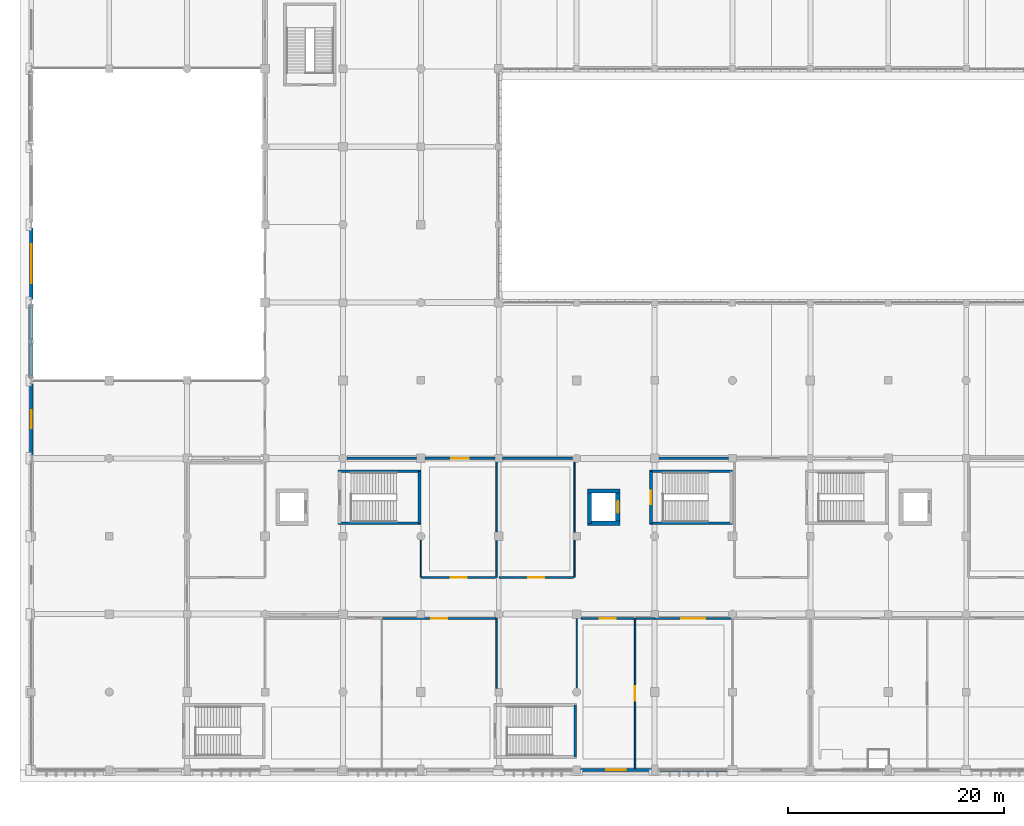
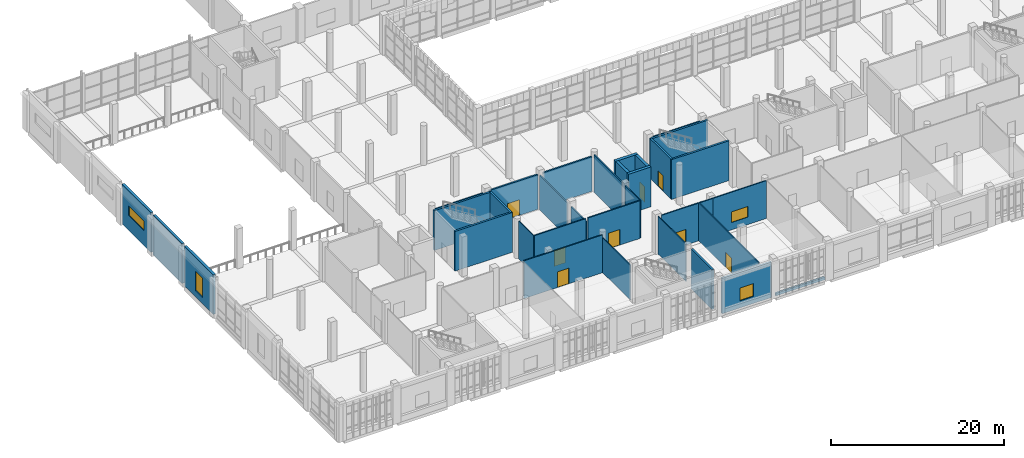
# One storey, part 51 of 80: 34 walls, 8 doors, 4 windows, 12 openings.
"""IFC4 building model written with IfcOpenShell, lengths in metres."""

import ifcopenshell
import ifcopenshell.guid

model = None  # the IFC model being written
_history = None  # IfcOwnerHistory: only IFC2X3 demands one
_inside = {}  # id of a spatial element -> (the spatial element, [elements in it])
_under = {}  # id of a project, library or spatial element -> (it, [spatial elements below it])
_declared = {}  # id of a project -> (the project, [libraries it declares])
_typed = {}  # id of a type object -> (the type object, [elements of that type])
_made_of = {}  # id of a material, layer set ... -> (it, [elements and type objects made of it])


def new_model(schema):
    """Start an empty IFC model of exactly this schema.

    Asked for "IFC4X3", IfcOpenShell would pick the latest addendum, in which some entities
    have other attributes; the version numbers below select the first issue.
    IFC2X3 requires an IfcOwnerHistory on every rooted entity: one is made here for all.
    """
    global model, _history
    if schema == "IFC4X3":
        model = ifcopenshell.file(schema_version=(4, 3, 0, 0))
    else:
        model = ifcopenshell.file(schema=schema)
    _inside.clear()
    _under.clear()
    _declared.clear()
    _typed.clear()
    _made_of.clear()
    _history = None
    if model.schema == "IFC2X3":
        org = make("IfcOrganization", Name="unknown")
        user = make(
            "IfcPersonAndOrganization",
            ThePerson=make("IfcPerson", FamilyName="unknown"),
            TheOrganization=org,
        )
        app = make(
            "IfcApplication",
            ApplicationDeveloper=org,
            Version="unknown",
            ApplicationFullName="unknown",
            ApplicationIdentifier="unknown",
        )
        _history = make(
            "IfcOwnerHistory",
            OwningUser=user,
            OwningApplication=app,
            ChangeAction="ADDED",
            CreationDate=0,
        )
    return model


def make(cls, **values):
    """One entity of the class cls with the attributes given. An attribute that is None is left unset."""
    return model.create_entity(
        cls, **{name: value for name, value in values.items() if value is not None}
    )


def rooted(cls, **values):
    """An entity with a GlobalId (a new one), such as an element, a storey or a relation."""
    return make(cls, GlobalId=ifcopenshell.guid.new(), OwnerHistory=_history, **values)


def si_unit(unit_type, name, prefix=None):
    """IfcSIUnit, for example si_unit("LENGTHUNIT", "METRE", prefix="MILLI")."""
    return make("IfcSIUnit", UnitType=unit_type, Prefix=prefix, Name=name)


def assignment(units):
    """IfcUnitAssignment: the units of a project."""
    return None if units is None else make("IfcUnitAssignment", Units=units)


def point(xyz):
    """IfcCartesianPoint."""
    return None if xyz is None else make("IfcCartesianPoint", Coordinates=xyz)


def direction(xyz):
    """IfcDirection."""
    return None if xyz is None else make("IfcDirection", DirectionRatios=xyz)


def frame(location, z_axis=None, x_axis=None):
    """IfcAxis2Placement3D, a coordinate frame: its origin and axes. An axis left out is left unset."""
    return make(
        "IfcAxis2Placement3D",
        Location=point(location),
        Axis=direction(z_axis),
        RefDirection=direction(x_axis),
    )


def frame_2d(location, x_axis=None):
    """IfcAxis2Placement2D, a coordinate frame in the plane: its origin and x axis."""
    return make(
        "IfcAxis2Placement2D", Location=point(location), RefDirection=direction(x_axis)
    )


def origin():
    """The frame at (0, 0, 0) with its axes left unset."""
    return frame((0.0, 0.0, 0.0))


def place(relative_to, where):
    """IfcLocalPlacement: puts the frame where relative to a parent placement (None: the world)."""
    return make(
        "IfcLocalPlacement", PlacementRelTo=relative_to, RelativePlacement=where
    )


def context(
    kind, dimensions, precision=None, world=None, true_north=None, identifier=None
):
    """IfcGeometricRepresentationContext, for example the 3D "Model" context."""
    return make(
        "IfcGeometricRepresentationContext",
        ContextIdentifier=identifier,
        ContextType=kind,
        CoordinateSpaceDimension=dimensions,
        Precision=precision,
        WorldCoordinateSystem=world,
        TrueNorth=true_north,
    )


def subcontext(parent, identifier, kind, view, scale=None):
    """IfcGeometricRepresentationSubContext, for example "Body" below "Model"."""
    return make(
        "IfcGeometricRepresentationSubContext",
        ContextIdentifier=identifier,
        ContextType=kind,
        ParentContext=parent,
        TargetScale=scale,
        TargetView=view,
    )


def project(units=None, contexts=None):
    """IfcProject with its units and contexts."""
    return rooted(
        "IfcProject",
        Name="project",
        RepresentationContexts=contexts,
        UnitsInContext=assignment(units),
    )


def spatial(cls, under=None, at=None, **own):
    """A site, building, storey or space (cls), placed at a placement, below another one or the project."""
    s = rooted(cls, ObjectPlacement=at, **own)
    if under is not None:
        _under.setdefault(under.id(), (under, []))[1].append(s)
    return s


def profile(cls, at=None, kind="AREA", **sizes):
    """A parametric profile (cls). Its sizes go by their IFC names, for example OverallWidth=200.0."""
    return make(cls, ProfileType=kind, Position=at, **sizes)


def rectangle(**sizes):
    """IfcRectangleProfileDef."""
    return profile("IfcRectangleProfileDef", **sizes)


def extrude(swept, where, along, depth):
    """IfcExtrudedAreaSolid: the profile swept, set in the frame where, extruded along a direction by depth."""
    return make(
        "IfcExtrudedAreaSolid",
        SweptArea=swept,
        Position=where,
        ExtrudedDirection=direction(along),
        Depth=depth,
    )


def shape(context_of_items, identifier, shape_type, items):
    """IfcShapeRepresentation: the items that make up one representation, for example the "Body"."""
    return make(
        "IfcShapeRepresentation",
        ContextOfItems=context_of_items,
        RepresentationIdentifier=identifier,
        RepresentationType=shape_type,
        Items=items,
    )


def material(Name=None, Category=None):
    """IfcMaterial."""
    return make("IfcMaterial", Name=Name, Category=Category)


def layer(
    of_material, thickness, ventilated=None, Name=None, Category=None, Priority=None
):
    """IfcMaterialLayer: one layer of a wall or slab, of a material (None: an air gap)."""
    return make(
        "IfcMaterialLayer",
        Material=of_material,
        LayerThickness=thickness,
        IsVentilated=ventilated,
        Name=Name,
        Category=Category,
        Priority=Priority,
    )


def layer_set(layers, Name=None):
    """IfcMaterialLayerSet."""
    return make("IfcMaterialLayerSet", MaterialLayers=layers, LayerSetName=Name)


def made_of(thing, what):
    """Note that an element or type object is made of a material, layer set ...; save() writes the relation."""
    if what is not None:
        _made_of.setdefault(what.id(), (what, []))[1].append(thing)
    return thing


def type_object(cls, material=None, **own):
    """A type object (cls), such as IfcWallType, which elements share."""
    return made_of(rooted(cls, **own), material)


def element(
    cls,
    number,
    at=None,
    inside=None,
    cuts=None,
    type_object=None,
    material=None,
    context=None,
    identifier="Body",
    shape_type=None,
    held_by="IfcProductDefinitionShape",
    body=None,
    shapes=None,
    **own,
):
    """One element of the class cls, such as IfcWall. Its Tag is "e" and its number.

    at: its placement. inside: the storey or other place that contains it. cuts: it is an
    opening in that element (IfcRelVoidsElement). A single representation is given by context,
    identifier, shape_type and body (its items); several are given by shapes. held_by: the class
    of the entity that holds the representations. save() writes the other relations.
    """
    e = rooted(cls, Tag="e%d" % number, ObjectPlacement=at, **own)
    if body is not None:
        shapes = [shape(context, identifier, shape_type, body)]
    if shapes is not None:
        e.Representation = make(held_by, Representations=shapes)
    if inside is not None:
        _inside.setdefault(inside.id(), (inside, []))[1].append(e)
    if cuts is not None:
        rooted(
            "IfcRelVoidsElement", RelatingBuildingElement=cuts, RelatedOpeningElement=e
        )
    if type_object is not None:
        _typed.setdefault(type_object.id(), (type_object, []))[1].append(e)
    return made_of(e, material)


def fill(opening, filler):
    """IfcRelFillsElement: the door or window that sits in an opening."""
    return rooted(
        "IfcRelFillsElement",
        RelatingOpeningElement=opening,
        RelatedBuildingElement=filler,
    )


def aggregate(whole, parts):
    """IfcRelAggregates: a whole, such as a stair, and the parts it consists of."""
    return rooted("IfcRelAggregates", RelatingObject=whole, RelatedObjects=parts)


def save(model, path):
    """Write the relations noted so far, then the file.

    IfcRelAggregates (storeys below a building ...), IfcRelContainedInSpatialStructure (elements
    in a storey), IfcRelDefinesByType, IfcRelAssociatesMaterial and IfcRelDeclares: one each for
    every whole, place, type object, material and project.
    """
    for whole, parts in _under.values():
        aggregate(whole, parts)
    for where, things in _inside.values():
        rooted(
            "IfcRelContainedInSpatialStructure",
            RelatedElements=things,
            RelatingStructure=where,
        )
    for kind, things in _typed.values():
        rooted("IfcRelDefinesByType", RelatedObjects=things, RelatingType=kind)
    for what, things in _made_of.values():
        rooted("IfcRelAssociatesMaterial", RelatedObjects=things, RelatingMaterial=what)
    for by, libraries in _declared.values():
        rooted("IfcRelDeclares", RelatingContext=by, RelatedDefinitions=libraries)
    model.write(path)


model = new_model("IFC4")

# Units and contexts
model_context = context("Model", 3, precision=1e-05, world=origin(), true_north=direction((0.0, 1.0)))
body_context = subcontext(model_context, "Body", "Model", "MODEL_VIEW")
ifc_project = project(units=[si_unit("LENGTHUNIT", "METRE"), si_unit("AREAUNIT", "SQUARE_METRE"), si_unit("VOLUMEUNIT", "CUBIC_METRE"), si_unit("PLANEANGLEUNIT", "RADIAN"), si_unit("MASSUNIT", "GRAM", prefix="KILO")], contexts=[model_context])

# Site, building, storey
site_placement = place(None, origin())
site = spatial("IfcSite", under=ifc_project, at=site_placement, CompositionType="ELEMENT")
building_placement = place(site_placement, origin())
building = spatial("IfcBuilding", under=site, at=building_placement, Name="Sardonyx Promenade Sports Hall", CompositionType="ELEMENT")
storey_placement = place(building_placement, frame((0.0, 0.0, 5.60009765625)))
storey = spatial("IfcBuildingStorey", under=building, at=storey_placement, Name="L01", CompositionType="ELEMENT", Elevation=5.60009765625)

# Wall, opening, door
ifc_material_1 = material(Name="Concrete C40/50", Category="concrete")
ifc_layer_1 = layer(ifc_material_1, 0.3798828125)
ifc_layer_set_1 = layer_set([ifc_layer_1], Name="Wall_Core_Shear_380")
wall_type_1 = type_object("IfcWallType", Name="Wall_Core_Shear_380", PredefinedType="SHEAR", material=ifc_layer_set_1)
wall_1_placement = place(storey_placement, frame((54.199951171875, 22.800048828125, 0.0), z_axis=(0.0, 0.0, 1.0), x_axis=(0.0, 1.0, 0.0)))
wall_1 = element("IfcWall", 1, at=wall_1_placement, inside=storey, type_object=wall_type_1, Name="Lift shaft wall LF3 L01 E", PredefinedType="SHEAR", context=body_context, shape_type="SweptSolid", body=[
    extrude(rectangle(XDim=3.0, YDim=0.3798828125, at=frame_2d((1.5, 0.0))), origin(), (0.0, 0.0, 1.0), 5.599853515625),
])
opening_1_placement = place(wall_1_placement, frame((0.949951171875, 0.0, 0.0)))
opening_1 = element("IfcOpeningElement", 2, at=opening_1_placement, cuts=wall_1, Name="Opening LD01", PredefinedType="OPENING", context=body_context, shape_type="SweptSolid", body=[
    extrude(rectangle(XDim=1.10009765625, YDim=2.199951171875, at=frame_2d((0.550048828125, 1.10009765625))), frame((0.0, 0.2, 0.0), z_axis=(0.0, -1.0, 0.0), x_axis=(1.0, 0.0, 0.0)), (0.0, 0.0, 1.0), 0.4),
])
ifc_material_2 = material(Name="Fire-rated stainless steel sliding lift door", Category="steel")
door_type_1 = type_object("IfcDoorType", Name="Door_Lift_Pass_110x220", OperationType="NOTDEFINED", PredefinedType="DOOR", material=ifc_material_2)
door_1_placement = place(opening_1_placement, origin())
door_1 = element("IfcDoor", 3, at=door_1_placement, inside=storey, type_object=door_type_1, Name="Lift landing sliding door LD-LF3-L01", OperationType="SLIDING_TO_LEFT", OverallHeight=2.199951171875, OverallWidth=1.10009765625, PredefinedType="DOOR", context=body_context, shape_type="SweptSolid", body=[
    extrude(rectangle(XDim=1.10009765625, YDim=2.199951171875, at=frame_2d((0.550048828125, 1.10009765625))), frame((0.0, 0.02490234375, 0.0), z_axis=(0.0, -1.0, 0.0), x_axis=(1.0, 0.0, 0.0)), (0.0, 0.0, 1.0), 0.050048828125),
])
fill(opening_1, door_1)

# Walls
wall_2_placement = place(storey_placement, frame((51.409912109375, 25.800048828125, 0.0), z_axis=(0.0, 0.0, 1.0), x_axis=(1.0, 0.0, 0.0)))
element("IfcWall", 4, at=wall_2_placement, inside=storey, type_object=wall_type_1, Name="Lift shaft wall LF3 L01 N", PredefinedType="SHEAR", context=body_context, shape_type="SweptSolid", body=[
    extrude(rectangle(XDim=2.97998046875, YDim=0.3798828125, at=frame_2d((1.489990234375, 0.0))), origin(), (0.0, 0.0, 1.0), 5.599853515625),
])
wall_3_placement = place(storey_placement, frame((51.60009765625, 25.800048828125, 0.0), z_axis=(0.0, 0.0, 1.0), x_axis=(0.0, -1.0, 0.0)))
element("IfcWall", 5, at=wall_3_placement, inside=storey, type_object=wall_type_1, Name="Lift shaft wall LF3 L01 W", PredefinedType="SHEAR", context=body_context, shape_type="SweptSolid", body=[
    extrude(rectangle(XDim=3.0, YDim=0.3798828125, at=frame_2d((1.5, 0.0))), origin(), (0.0, 0.0, 1.0), 5.599853515625),
])
wall_4_placement = place(storey_placement, frame((54.389892578125, 22.800048828125, 0.0), z_axis=(0.0, 0.0, 1.0), x_axis=(-1.0, 0.0, 0.0)))
element("IfcWall", 6, at=wall_4_placement, inside=storey, type_object=wall_type_1, Name="Lift shaft wall LF3 L01 S", PredefinedType="SHEAR", context=body_context, shape_type="SweptSolid", body=[
    extrude(rectangle(XDim=2.97998046875, YDim=0.3798828125, at=frame_2d((1.489990234375, 0.0))), origin(), (0.0, 0.0, 1.0), 5.599853515625),
])

# Wall, opening, window
ifc_material_3 = material(Name="Concrete C40/50", Category="concrete")
ifc_layer_2 = layer(ifc_material_3, 0.320068359375)
ifc_layer_set_2 = layer_set([ifc_layer_2], Name="Wall_Ext_Court_320")
wall_type_2 = type_object("IfcWallType", Name="Wall_Ext_Court_320", PredefinedType="SOLIDWALL", material=ifc_layer_set_2)
wall_5_placement = place(storey_placement, frame((0.0, 29.080078125, 0.0), z_axis=(0.0, 0.0, 1.0), x_axis=(0.0, 1.0, 0.0)))
wall_5 = element("IfcWall", 7, at=wall_5_placement, inside=storey, type_object=wall_type_2, Name="Exterior wall EW01 L01 #142", PredefinedType="SOLIDWALL", context=body_context, shape_type="SweptSolid", body=[
    extrude(rectangle(XDim=6.639892578125, YDim=0.320068359375, at=frame_2d((3.31982421875, 0.0))), origin(), (0.0, 0.0, 1.0), 5.599853515625),
])
opening_2_placement = place(wall_5_placement, frame((2.4951171875, 0.0, 0.89990234375)))
opening_2 = element("IfcOpeningElement", 8, at=opening_2_placement, cuts=wall_5, Name="Opening W10", PredefinedType="OPENING", context=body_context, shape_type="SweptSolid", body=[
    extrude(rectangle(XDim=1.64990234375, YDim=2.699951171875, at=frame_2d((0.824951171875, 1.35009765625))), frame((0.0, 0.17, 0.0), z_axis=(0.0, -1.0, 0.0), x_axis=(1.0, 0.0, 0.0)), (0.0, 0.0, 1.0), 0.34),
])
ifc_material_4 = material(Name="Double-glazed solar low-E aluminium window", Category="aluminium")
window_type_1 = type_object("IfcWindowType", Name="Win_Sandstone_TallB", PartitioningType="SINGLE_PANEL", PredefinedType="WINDOW", material=ifc_material_4)
window_1_placement = place(opening_2_placement, origin())
window_1 = element("IfcWindow", 9, at=window_1_placement, inside=storey, type_object=window_type_1, Name="Facade window W10 L01 #60", OverallHeight=2.699951171875, OverallWidth=1.64990234375, PartitioningType="SINGLE_PANEL", PredefinedType="WINDOW", context=body_context, shape_type="SweptSolid", body=[
    extrude(rectangle(XDim=1.64990234375, YDim=2.699951171875, at=frame_2d((0.824951171875, 1.35009765625))), frame((0.0, 0.030029296875, 0.0), z_axis=(0.0, -1.0, 0.0), x_axis=(1.0, 0.0, 0.0)), (0.0, 0.0, 1.0), 0.06005859375),
])
fill(opening_2, window_1)

# Wall
wall_6_placement = place(storey_placement, frame((0.0, 36.280029296875, 0.0), z_axis=(0.0, 0.0, 1.0), x_axis=(0.0, 1.0, 0.0)))
element("IfcWall", 10, at=wall_6_placement, inside=storey, type_object=wall_type_2, Name="Exterior wall EW01 L01 #143", PredefinedType="SOLIDWALL", context=body_context, shape_type="SweptSolid", body=[
    extrude(rectangle(XDim=6.639892578125, YDim=0.320068359375, at=frame_2d((3.31982421875, 0.0))), origin(), (0.0, 0.0, 1.0), 5.599853515625),
])

# Wall, opening, window
wall_7_placement = place(storey_placement, frame((0.0, 43.47998046875, 0.0), z_axis=(0.0, 0.0, 1.0), x_axis=(0.0, 1.0, 0.0)))
wall_7 = element("IfcWall", 11, at=wall_7_placement, inside=storey, type_object=wall_type_2, Name="Exterior wall EW01 L01 #144", PredefinedType="SOLIDWALL", context=body_context, shape_type="SweptSolid", body=[
    extrude(rectangle(XDim=6.64013671875, YDim=0.320068359375, at=frame_2d((3.320068359375, 0.0))), origin(), (0.0, 0.0, 1.0), 5.599853515625),
])
opening_3_placement = place(wall_7_placement, frame((1.52001953125, 0.0, 2.10009765625)))
opening_3 = element("IfcOpeningElement", 12, at=opening_3_placement, cuts=wall_7, Name="Opening W17", PredefinedType="OPENING", context=body_context, shape_type="SweptSolid", body=[
    extrude(rectangle(XDim=3.60009765625, YDim=1.35009765625, at=frame_2d((1.800048828125, 0.675048828125))), frame((0.0, 0.17, 0.0), z_axis=(0.0, -1.0, 0.0), x_axis=(1.0, 0.0, 0.0)), (0.0, 0.0, 1.0), 0.34),
])
ifc_material_5 = material(Name="Double-glazed solar low-E aluminium window", Category="aluminium")
window_type_2 = type_object("IfcWindowType", Name="Win_Clerestory_360x135", PartitioningType="DOUBLE_PANEL_VERTICAL", PredefinedType="WINDOW", material=ifc_material_5)
window_2_placement = place(opening_3_placement, origin())
window_2 = element("IfcWindow", 13, at=window_2_placement, inside=storey, type_object=window_type_2, Name="Facade window W17 L01 #61", OverallHeight=1.35009765625, OverallWidth=3.60009765625, PartitioningType="SINGLE_PANEL", PredefinedType="WINDOW", context=body_context, shape_type="SweptSolid", body=[
    extrude(rectangle(XDim=3.60009765625, YDim=1.35009765625, at=frame_2d((1.800048828125, 0.675048828125))), frame((0.0, 0.030029296875, 0.0), z_axis=(0.0, -1.0, 0.0), x_axis=(1.0, 0.0, 0.0)), (0.0, 0.0, 1.0), 0.06005859375),
])
fill(opening_3, window_2)

# Wall
ifc_material_6 = material(Name="Masonry CMU 15 MPa", Category="masonry")
ifc_layer_3 = layer(ifc_material_6, 0.239990234375)
ifc_layer_set_3 = layer_set([ifc_layer_3], Name="Wall_Ext_Spandrel_240")
wall_type_3 = type_object("IfcWallType", Name="Wall_Ext_Spandrel_240", PredefinedType="SOLIDWALL", material=ifc_layer_set_3)
wall_8_placement = place(storey_placement, frame((64.4150390625, 0.0, 0.0), z_axis=(0.0, 0.0, 1.0), x_axis=(-1.0, 0.0, 0.0)))
element("IfcWall", 14, at=wall_8_placement, inside=storey, type_object=wall_type_3, Name="Curtain-wall sill spandrel L01 #45", PredefinedType="SOLIDWALL", context=body_context, shape_type="SweptSolid", body=[
    extrude(rectangle(XDim=6.530029296875, YDim=0.239990234375, at=frame_2d((3.26513671875, 0.0))), origin(), (0.0, 0.0, 1.0), 0.349853515625),
])

# Wall, opening, window
ifc_material_7 = material(Name="Concrete C40/50", Category="concrete")
ifc_layer_4 = layer(ifc_material_7, 0.280029296875)
ifc_layer_set_4 = layer_set([ifc_layer_4], Name="Wall_Ext_Wing_280")
wall_type_4 = type_object("IfcWallType", Name="Wall_Ext_Wing_280", PredefinedType="SOLIDWALL", material=ifc_layer_set_4)
wall_9_placement = place(storey_placement, frame((57.31494140625, 0.0, 0.0), z_axis=(0.0, 0.0, 1.0), x_axis=(-1.0, 0.0, 0.0)))
wall_9 = element("IfcWall", 15, at=wall_9_placement, inside=storey, type_object=wall_type_4, Name="Exterior wall EW02 L01 #46", PredefinedType="SOLIDWALL", context=body_context, shape_type="SweptSolid", body=[
    extrude(rectangle(XDim=6.579833984375, YDim=0.280029296875, at=frame_2d((3.2900390625, 0.0))), origin(), (0.0, 0.0, 1.0), 4.98486328125),
])
opening_4_placement = place(wall_9_placement, frame((2.389892578125, 0.0, 1.0)))
opening_4 = element("IfcOpeningElement", 16, at=opening_4_placement, cuts=wall_9, Name="Opening W20", PredefinedType="OPENING", context=body_context, shape_type="SweptSolid", body=[
    extrude(rectangle(XDim=1.800048828125, YDim=1.800048828125, at=frame_2d((0.89990234375, 0.89990234375))), frame((0.0, 0.15, 0.0), z_axis=(0.0, -1.0, 0.0), x_axis=(1.0, 0.0, 0.0)), (0.0, 0.0, 1.0), 0.3),
])
ifc_material_8 = material(Name="Double-glazed solar low-E aluminium window", Category="aluminium")
window_type_3 = type_object("IfcWindowType", Name="Win_Clinic_180x180", PartitioningType="DOUBLE_PANEL_VERTICAL", PredefinedType="WINDOW", material=ifc_material_8)
window_3_placement = place(opening_4_placement, origin())
window_3 = element("IfcWindow", 17, at=window_3_placement, inside=storey, type_object=window_type_3, Name="Facade window W20 L01 #16", OverallHeight=1.800048828125, OverallWidth=1.800048828125, PartitioningType="SINGLE_PANEL", PredefinedType="WINDOW", context=body_context, shape_type="SweptSolid", body=[
    extrude(rectangle(XDim=1.800048828125, YDim=1.800048828125, at=frame_2d((0.89990234375, 0.89990234375))), frame((0.0, 0.030029296875, 0.0), z_axis=(0.0, -1.0, 0.0), x_axis=(1.0, 0.0, 0.0)), (0.0, 0.0, 1.0), 0.06005859375),
])
fill(opening_4, window_3)

# Wall, opening, door
ifc_material_9 = material(Name="Twin-stud acoustic gypsum partition", Category="gypsum")
ifc_layer_5 = layer(ifc_material_9, 0.169921875)
ifc_layer_set_5 = layer_set([ifc_layer_5], Name="Wall_Part_Acoust_170")
wall_type_5 = type_object("IfcWallType", Name="Wall_Part_Acoust_170", PredefinedType="PARTITIONING", material=ifc_layer_set_5)
wall_10_placement = place(storey_placement, frame((36.06005859375, 17.800048828125, 0.0), z_axis=(0.0, 0.0, 1.0), x_axis=(1.0, 0.0, 0.0)))
wall_10 = element("IfcWall", 18, at=wall_10_placement, inside=storey, type_object=wall_type_5, Name="Interior partition PW06 L01 #228", PredefinedType="PARTITIONING", context=body_context, shape_type="SweptSolid", body=[
    extrude(rectangle(XDim=6.85986328125, YDim=0.169921875, at=frame_2d((3.429931640625, 0.0))), origin(), (0.0, 0.0, 1.0), 5.309814453125),
])
opening_5_placement = place(wall_10_placement, frame((2.679931640625, 0.0, 0.0)))
opening_5 = element("IfcOpeningElement", 19, at=opening_5_placement, cuts=wall_10, Name="Opening ID10", PredefinedType="OPENING", context=body_context, shape_type="SweptSolid", body=[
    extrude(rectangle(XDim=1.5, YDim=2.199951171875, at=frame_2d((0.75, 1.10009765625))), frame((0.0, 0.095, 0.0), z_axis=(0.0, -1.0, 0.0), x_axis=(1.0, 0.0, 0.0)), (0.0, 0.0, 1.0), 0.19),
])
ifc_material_10 = material(Name="Double studio entrance fire door FD30S", Category="wood")
door_type_2 = type_object("IfcDoorType", Name="Door_Corr_FD30_150x220", OperationType="NOTDEFINED", PredefinedType="DOOR", material=ifc_material_10)
door_2_placement = place(opening_5_placement, origin())
door_2 = element("IfcDoor", 20, at=door_2_placement, inside=storey, type_object=door_type_2, Name="Interior door D01-069", OperationType="DOUBLE_DOOR_SINGLE_SWING", OverallHeight=2.199951171875, OverallWidth=1.5, PredefinedType="DOOR", context=body_context, shape_type="SweptSolid", body=[
    extrude(rectangle(XDim=1.5, YDim=2.199951171875, at=frame_2d((0.75, 1.10009765625))), frame((0.0, 0.02490234375, 0.0), z_axis=(0.0, -1.0, 0.0), x_axis=(1.0, 0.0, 0.0)), (0.0, 0.0, 1.0), 0.050048828125),
])
fill(opening_5, door_2)

wall_11_placement = place(storey_placement, frame((43.199951171875, 17.800048828125, 0.0), z_axis=(0.0, 0.0, 1.0), x_axis=(1.0, 0.0, 0.0)))
wall_11 = element("IfcWall", 21, at=wall_11_placement, inside=storey, type_object=wall_type_5, Name="Interior partition PW06 L01 #229", PredefinedType="PARTITIONING", context=body_context, shape_type="SweptSolid", body=[
    extrude(rectangle(XDim=6.925048828125, YDim=0.169921875, at=frame_2d((3.46240234375, 0.0))), origin(), (0.0, 0.0, 1.0), 5.309814453125),
])
opening_6_placement = place(wall_11_placement, frame((2.71240234375, 0.0, 0.0)))
opening_6 = element("IfcOpeningElement", 22, at=opening_6_placement, cuts=wall_11, Name="Opening ID10", PredefinedType="OPENING", context=body_context, shape_type="SweptSolid", body=[
    extrude(rectangle(XDim=1.5, YDim=2.199951171875, at=frame_2d((0.75, 1.10009765625))), frame((0.0, 0.095, 0.0), z_axis=(0.0, -1.0, 0.0), x_axis=(1.0, 0.0, 0.0)), (0.0, 0.0, 1.0), 0.19),
])
door_3_placement = place(opening_6_placement, origin())
door_3 = element("IfcDoor", 23, at=door_3_placement, inside=storey, type_object=door_type_2, Name="Interior door D01-070", OperationType="DOUBLE_DOOR_SINGLE_SWING", OverallHeight=2.199951171875, OverallWidth=1.5, PredefinedType="DOOR", context=body_context, shape_type="SweptSolid", body=[
    extrude(rectangle(XDim=1.5, YDim=2.199951171875, at=frame_2d((0.75, 1.10009765625))), frame((0.0, 0.02490234375, 0.0), z_axis=(0.0, -1.0, 0.0), x_axis=(1.0, 0.0, 0.0)), (0.0, 0.0, 1.0), 0.050048828125),
])
fill(opening_6, door_3)

# Wall
ifc_material_11 = material(Name="Masonry CMU 15 MPa", Category="masonry")
ifc_layer_6 = layer(ifc_material_11, 0.2099609375)
ifc_layer_set_6 = layer_set([ifc_layer_6], Name="Wall_Part_Block_210")
wall_type_6 = type_object("IfcWallType", Name="Wall_Part_Block_210", PredefinedType="PARTITIONING", material=ifc_layer_set_6)
wall_12_placement = place(storey_placement, frame((29.175048828125, 28.800048828125, 0.0), z_axis=(0.0, 0.0, 1.0), x_axis=(1.0, 0.0, 0.0)))
element("IfcWall", 24, at=wall_12_placement, inside=storey, type_object=wall_type_6, Name="Interior partition PW07 L01 #197", PredefinedType="PARTITIONING", context=body_context, shape_type="SweptSolid", body=[
    extrude(rectangle(XDim=6.425048828125, YDim=0.2099609375, at=frame_2d((3.21240234375, 0.0))), origin(), (0.0, 0.0, 1.0), 4.77978515625),
])

# Wall, opening, door
wall_13_placement = place(storey_placement, frame((36.39990234375, 28.800048828125, 0.0), z_axis=(0.0, 0.0, 1.0), x_axis=(1.0, 0.0, 0.0)))
wall_13 = element("IfcWall", 25, at=wall_13_placement, inside=storey, type_object=wall_type_6, Name="Interior partition PW07 L01 #198", PredefinedType="PARTITIONING", context=body_context, shape_type="SweptSolid", body=[
    extrude(rectangle(XDim=6.4501953125, YDim=0.2099609375, at=frame_2d((3.22509765625, 0.0))), origin(), (0.0, 0.0, 1.0), 4.8798828125),
])
opening_7_placement = place(wall_13_placement, frame((2.425048828125, 0.0, 0.0)))
opening_7 = element("IfcOpeningElement", 26, at=opening_7_placement, cuts=wall_13, Name="Opening ID09", PredefinedType="OPENING", context=body_context, shape_type="SweptSolid", body=[
    extrude(rectangle(XDim=1.60009765625, YDim=2.199951171875, at=frame_2d((0.800048828125, 1.10009765625))), frame((0.0, 0.115, 0.0), z_axis=(0.0, -1.0, 0.0), x_axis=(1.0, 0.0, 0.0)), (0.0, 0.0, 1.0), 0.23),
])
ifc_material_12 = material(Name="Double hardwood vision-panel fire door FD60S", Category="wood")
door_type_3 = type_object("IfcDoorType", Name="Door_Lobby_FD60_160x220", OperationType="NOTDEFINED", PredefinedType="DOOR", material=ifc_material_12)
door_4_placement = place(opening_7_placement, origin())
door_4 = element("IfcDoor", 27, at=door_4_placement, inside=storey, type_object=door_type_3, Name="Interior door D01-051", OperationType="DOUBLE_DOOR_SINGLE_SWING", OverallHeight=2.199951171875, OverallWidth=1.60009765625, PredefinedType="DOOR", context=body_context, shape_type="SweptSolid", body=[
    extrude(rectangle(XDim=1.60009765625, YDim=2.199951171875, at=frame_2d((0.800048828125, 1.10009765625))), frame((0.0, 0.02490234375, 0.0), z_axis=(0.0, -1.0, 0.0), x_axis=(1.0, 0.0, 0.0)), (0.0, 0.0, 1.0), 0.050048828125),
])
fill(opening_7, door_4)

# Walls
wall_14_placement = place(storey_placement, frame((43.550048828125, 28.800048828125, 0.0), z_axis=(0.0, 0.0, 1.0), x_axis=(1.0, 0.0, 0.0)))
element("IfcWall", 28, at=wall_14_placement, inside=storey, type_object=wall_type_6, Name="Interior partition PW07 L01 #199", PredefinedType="PARTITIONING", context=body_context, shape_type="SweptSolid", body=[
    extrude(rectangle(XDim=6.474853515625, YDim=0.2099609375, at=frame_2d((3.2373046875, 0.0))), origin(), (0.0, 0.0, 1.0), 4.8798828125),
])
wall_15_placement = place(storey_placement, frame((58.0, 28.800048828125, 0.0), z_axis=(0.0, 0.0, 1.0), x_axis=(1.0, 0.0, 0.0)))
element("IfcWall", 29, at=wall_15_placement, inside=storey, type_object=wall_type_6, Name="Interior partition PW07 L01 #200", PredefinedType="PARTITIONING", context=body_context, shape_type="SweptSolid", body=[
    extrude(rectangle(XDim=6.449951171875, YDim=0.2099609375, at=frame_2d((3.22509765625, 0.0))), origin(), (0.0, 0.0, 1.0), 4.77978515625),
])
ifc_material_13 = material(Name="Hygienic clinical stud partition", Category="gypsum")
ifc_layer_7 = layer(ifc_material_13, 0.1201171875)
ifc_layer_set_7 = layer_set([ifc_layer_7], Name="Wall_Part_Clinic_120")
wall_type_7 = type_object("IfcWallType", Name="Wall_Part_Clinic_120", PredefinedType="PARTITIONING", material=ifc_layer_set_7)
wall_16_placement = place(storey_placement, frame((50.39990234375, 7.574951171875, 0.0), z_axis=(0.0, 0.0, 1.0), x_axis=(0.0, 1.0, 0.0)))
element("IfcWall", 30, at=wall_16_placement, inside=storey, type_object=wall_type_7, Name="Interior partition PW02 L01 #152", PredefinedType="PARTITIONING", context=body_context, shape_type="SweptSolid", body=[
    extrude(rectangle(XDim=6.425048828125, YDim=0.1201171875, at=frame_2d((3.21240234375, 0.0))), origin(), (0.0, 0.0, 1.0), 5.309814453125),
])

# Wall, opening, door
ifc_material_14 = material(Name="Fire-rated stud gypsum partition", Category="gypsum")
ifc_layer_8 = layer(ifc_material_14, 0.14990234375)
ifc_layer_set_8 = layer_set([ifc_layer_8], Name="Wall_Part_Corridor_150")
wall_type_8 = type_object("IfcWallType", Name="Wall_Part_Corridor_150", PredefinedType="PARTITIONING", material=ifc_layer_set_8)
wall_17_placement = place(storey_placement, frame((32.4599609375, 14.0, 0.0), z_axis=(0.0, 0.0, 1.0), x_axis=(1.0, 0.0, 0.0)))
wall_17 = element("IfcWall", 31, at=wall_17_placement, inside=storey, type_object=wall_type_8, Name="Interior partition PW04 L01 #211", PredefinedType="PARTITIONING", context=body_context, shape_type="SweptSolid", body=[
    extrude(rectangle(XDim=10.465087890625, YDim=0.14990234375, at=frame_2d((5.232421875, 0.0))), origin(), (0.0, 0.0, 1.0), 5.309814453125),
])
opening_8_placement = place(wall_17_placement, frame((4.482421875, 0.0, 0.0)))
opening_8 = element("IfcOpeningElement", 32, at=opening_8_placement, cuts=wall_17, Name="Opening ID10", PredefinedType="OPENING", context=body_context, shape_type="SweptSolid", body=[
    extrude(rectangle(XDim=1.5, YDim=2.199951171875, at=frame_2d((0.75, 1.10009765625))), frame((0.0, 0.085, 0.0), z_axis=(0.0, -1.0, 0.0), x_axis=(1.0, 0.0, 0.0)), (0.0, 0.0, 1.0), 0.17),
])
door_5_placement = place(opening_8_placement, origin())
door_5 = element("IfcDoor", 33, at=door_5_placement, inside=storey, type_object=door_type_2, Name="Interior door D01-056", OperationType="DOUBLE_DOOR_SINGLE_SWING", OverallHeight=2.199951171875, OverallWidth=1.5, PredefinedType="DOOR", context=body_context, shape_type="SweptSolid", body=[
    extrude(rectangle(XDim=1.5, YDim=2.199951171875, at=frame_2d((0.75, 1.10009765625))), frame((0.0, 0.02490234375, 0.0), z_axis=(0.0, -1.0, 0.0), x_axis=(1.0, 0.0, 0.0)), (0.0, 0.0, 1.0), 0.050048828125),
])
fill(opening_8, door_5)

wall_18_placement = place(storey_placement, frame((50.800048828125, 14.0, 0.0), z_axis=(0.0, 0.0, 1.0), x_axis=(1.0, 0.0, 0.0)))
wall_18 = element("IfcWall", 34, at=wall_18_placement, inside=storey, type_object=wall_type_8, Name="Interior partition PW04 L01 #212", PredefinedType="PARTITIONING", context=body_context, shape_type="SweptSolid", body=[
    extrude(rectangle(XDim=4.919921875, YDim=0.14990234375, at=frame_2d((2.4599609375, 0.0))), origin(), (0.0, 0.0, 1.0), 5.309814453125),
])
opening_9_placement = place(wall_18_placement, frame((1.7099609375, 0.0, 0.0)))
opening_9 = element("IfcOpeningElement", 35, at=opening_9_placement, cuts=wall_18, Name="Opening ID10", PredefinedType="OPENING", context=body_context, shape_type="SweptSolid", body=[
    extrude(rectangle(XDim=1.5, YDim=2.199951171875, at=frame_2d((0.75, 1.10009765625))), frame((0.0, 0.085, 0.0), z_axis=(0.0, -1.0, 0.0), x_axis=(1.0, 0.0, 0.0)), (0.0, 0.0, 1.0), 0.17),
])
door_6_placement = place(opening_9_placement, origin())
door_6 = element("IfcDoor", 36, at=door_6_placement, inside=storey, type_object=door_type_2, Name="Interior door D01-057", OperationType="DOUBLE_DOOR_SINGLE_SWING", OverallHeight=2.199951171875, OverallWidth=1.5, PredefinedType="DOOR", context=body_context, shape_type="SweptSolid", body=[
    extrude(rectangle(XDim=1.5, YDim=2.199951171875, at=frame_2d((0.75, 1.10009765625))), frame((0.0, 0.02490234375, 0.0), z_axis=(0.0, -1.0, 0.0), x_axis=(1.0, 0.0, 0.0)), (0.0, 0.0, 1.0), 0.050048828125),
])
fill(opening_9, door_6)

# Wall
wall_19_placement = place(storey_placement, frame((55.8798828125, 14.0, 0.0), z_axis=(0.0, 0.0, 1.0), x_axis=(1.0, 0.0, 0.0)))
element("IfcWall", 37, at=wall_19_placement, inside=storey, type_object=wall_type_8, Name="Interior partition PW04 L01 #213", PredefinedType="PARTITIONING", context=body_context, shape_type="SweptSolid", body=[
    extrude(rectangle(XDim=1.72021484375, YDim=0.14990234375, at=frame_2d((0.860107421875, 0.0))), origin(), (0.0, 0.0, 1.0), 5.309814453125),
])

# Wall, opening, window
wall_20_placement = place(storey_placement, frame((57.610107421875, 14.0, 0.0), z_axis=(0.0, 0.0, 1.0), x_axis=(1.0, 0.0, 0.0)))
wall_20 = element("IfcWall", 38, at=wall_20_placement, inside=storey, type_object=wall_type_8, Name="Interior partition PW04 L01 #214", PredefinedType="PARTITIONING", context=body_context, shape_type="SweptSolid", body=[
    extrude(rectangle(XDim=7.1298828125, YDim=0.14990234375, at=frame_2d((3.56494140625, 0.0))), origin(), (0.0, 0.0, 1.0), 5.309814453125),
])
opening_10_placement = place(wall_20_placement, frame((2.465087890625, 0.0, 1.050048828125)))
opening_10 = element("IfcOpeningElement", 39, at=opening_10_placement, cuts=wall_20, Name="Opening IW01", PredefinedType="OPENING", context=body_context, shape_type="SweptSolid", body=[
    extrude(rectangle(XDim=2.199951171875, YDim=1.5, at=frame_2d((1.10009765625, 0.75))), frame((0.0, 0.085, 0.0), z_axis=(0.0, -1.0, 0.0), x_axis=(1.0, 0.0, 0.0)), (0.0, 0.0, 1.0), 0.17),
])
ifc_material_15 = material(Name="Acoustic laminated sports viewing glazing EI 60", Category="glass")
window_type_4 = type_object("IfcWindowType", Name="IWin_Studio_220x150", PartitioningType="DOUBLE_PANEL_VERTICAL", PredefinedType="WINDOW", material=ifc_material_15)
window_4_placement = place(opening_10_placement, origin())
window_4 = element("IfcWindow", 40, at=window_4_placement, inside=storey, type_object=window_type_4, Name="Internal viewing window IW01 L01 #1", OverallHeight=1.5, OverallWidth=2.199951171875, PartitioningType="SINGLE_PANEL", PredefinedType="WINDOW", context=body_context, shape_type="SweptSolid", body=[
    extrude(rectangle(XDim=2.199951171875, YDim=1.5, at=frame_2d((1.10009765625, 0.75))), frame((0.0, 0.030029296875, 0.0), z_axis=(0.0, -1.0, 0.0), x_axis=(1.0, 0.0, 0.0)), (0.0, 0.0, 1.0), 0.06005859375),
])
fill(opening_10, window_4)

# Walls
ifc_material_16 = material(Name="Lightweight steel-stud partition", Category="steel")
ifc_layer_9 = layer(ifc_material_16, 0.10009765625)
ifc_layer_set_9 = layer_set([ifc_layer_9], Name="Wall_Part_Light_100")
wall_type_9 = type_object("IfcWallType", Name="Wall_Part_Light_100", PredefinedType="PARTITIONING", material=ifc_layer_set_9)
wall_21_placement = place(storey_placement, frame((36.0, 17.800048828125, 0.0), z_axis=(0.0, 0.0, 1.0), x_axis=(0.0, 1.0, 0.0)))
element("IfcWall", 41, at=wall_21_placement, inside=storey, type_object=wall_type_9, Name="Interior partition PW01 L01 #177", PredefinedType="PARTITIONING", context=body_context, shape_type="SweptSolid", body=[
    extrude(rectangle(XDim=3.425048828125, YDim=0.10009765625, at=frame_2d((1.71240234375, 0.0))), origin(), (0.0, 0.0, 1.0), 5.309814453125),
])
ifc_material_17 = material(Name="Acoustic sports stud partition", Category="gypsum")
ifc_layer_10 = layer(ifc_material_17, 0.1298828125)
ifc_layer_set_10 = layer_set([ifc_layer_10], Name="Wall_Part_Studio_130")
wall_type_10 = type_object("IfcWallType", Name="Wall_Part_Studio_130", PredefinedType="PARTITIONING", material=ifc_layer_set_10)
wall_22_placement = place(storey_placement, frame((43.0, 7.550048828125, 0.0), z_axis=(0.0, 0.0, 1.0), x_axis=(0.0, 1.0, 0.0)))
element("IfcWall", 42, at=wall_22_placement, inside=storey, type_object=wall_type_10, Name="Interior partition PW05 L01 #151", PredefinedType="PARTITIONING", context=body_context, shape_type="SweptSolid", body=[
    extrude(rectangle(XDim=6.449951171875, YDim=0.1298828125, at=frame_2d((3.22509765625, 0.0))), origin(), (0.0, 0.0, 1.0), 4.8798828125),
])
wall_23_placement = place(storey_placement, frame((50.199951171875, 17.800048828125, 0.0), z_axis=(0.0, 0.0, 1.0), x_axis=(0.0, 1.0, 0.0)))
element("IfcWall", 43, at=wall_23_placement, inside=storey, type_object=wall_type_10, Name="Interior partition PW05 L01 #180", PredefinedType="PARTITIONING", context=body_context, shape_type="SweptSolid", body=[
    extrude(rectangle(XDim=3.449951171875, YDim=0.1298828125, at=frame_2d((1.72509765625, 0.0))), origin(), (0.0, 0.0, 1.0), 5.309814453125),
])
wall_24_placement = place(storey_placement, frame((50.199951171875, 21.949951171875, 0.0), z_axis=(0.0, 0.0, 1.0), x_axis=(0.0, 1.0, 0.0)))
element("IfcWall", 44, at=wall_24_placement, inside=storey, type_object=wall_type_10, Name="Interior partition PW05 L01 #181", PredefinedType="PARTITIONING", context=body_context, shape_type="SweptSolid", body=[
    extrude(rectangle(XDim=6.47509765625, YDim=0.1298828125, at=frame_2d((3.237548828125, 0.0))), origin(), (0.0, 0.0, 1.0), 5.309814453125),
])

# Wall, opening, door
ifc_material_18 = material(Name="Moisture-resistant masonry partition", Category="masonry")
ifc_layer_11 = layer(ifc_material_18, 0.139892578125)
ifc_layer_set_11 = layer_set([ifc_layer_11], Name="Wall_Part_Wet_140")
wall_type_11 = type_object("IfcWallType", Name="Wall_Part_Wet_140", PredefinedType="PARTITIONING", material=ifc_layer_set_11)
wall_25_placement = place(storey_placement, frame((55.800048828125, 0.14990234375, 0.0), z_axis=(0.0, 0.0, 1.0), x_axis=(0.0, 1.0, 0.0)))
wall_25 = element("IfcWall", 45, at=wall_25_placement, inside=storey, type_object=wall_type_11, Name="Interior partition PW08 L01 #170", PredefinedType="PARTITIONING", context=body_context, shape_type="SweptSolid", body=[
    extrude(rectangle(XDim=13.85009765625, YDim=0.139892578125, at=frame_2d((6.925048828125, 0.0))), origin(), (0.0, 0.0, 1.0), 5.309814453125),
])
opening_11_placement = place(wall_25_placement, frame((6.25, 0.0, 0.0)))
opening_11 = element("IfcOpeningElement", 46, at=opening_11_placement, cuts=wall_25, Name="Opening ID12", PredefinedType="OPENING", context=body_context, shape_type="SweptSolid", body=[
    extrude(rectangle(XDim=1.35009765625, YDim=2.14990234375, at=frame_2d((0.675048828125, 1.074951171875))), frame((0.0, 0.08, 0.0), z_axis=(0.0, -1.0, 0.0), x_axis=(1.0, 0.0, 0.0)), (0.0, 0.0, 1.0), 0.16),
])
ifc_material_19 = material(Name="Leaf-and-a-half equipment door", Category="wood")
door_type_4 = type_object("IfcDoorType", Name="Door_Suite_135x215", OperationType="NOTDEFINED", PredefinedType="DOOR", material=ifc_material_19)
door_7_placement = place(opening_11_placement, origin())
door_7 = element("IfcDoor", 47, at=door_7_placement, inside=storey, type_object=door_type_4, Name="Interior door D01-046", OperationType="SINGLE_SWING_RIGHT", OverallHeight=2.14990234375, OverallWidth=1.35009765625, PredefinedType="DOOR", context=body_context, shape_type="SweptSolid", body=[
    extrude(rectangle(XDim=1.35009765625, YDim=2.14990234375, at=frame_2d((0.675048828125, 1.074951171875))), frame((0.0, 0.02490234375, 0.0), z_axis=(0.0, -1.0, 0.0), x_axis=(1.0, 0.0, 0.0)), (0.0, 0.0, 1.0), 0.050048828125),
])
fill(opening_11, door_7)

# Walls
wall_26_placement = place(storey_placement, frame((43.0, 17.800048828125, 0.0), z_axis=(0.0, 0.0, 1.0), x_axis=(0.0, 1.0, 0.0)))
element("IfcWall", 48, at=wall_26_placement, inside=storey, type_object=wall_type_11, Name="Interior partition PW08 L01 #178", PredefinedType="PARTITIONING", context=body_context, shape_type="SweptSolid", body=[
    extrude(rectangle(XDim=3.39990234375, YDim=0.139892578125, at=frame_2d((1.699951171875, 0.0))), origin(), (0.0, 0.0, 1.0), 4.8798828125),
])
wall_27_placement = place(storey_placement, frame((43.0, 22.0, 0.0), z_axis=(0.0, 0.0, 1.0), x_axis=(0.0, 1.0, 0.0)))
element("IfcWall", 49, at=wall_27_placement, inside=storey, type_object=wall_type_11, Name="Interior partition PW08 L01 #179", PredefinedType="PARTITIONING", context=body_context, shape_type="SweptSolid", body=[
    extrude(rectangle(XDim=6.449951171875, YDim=0.139892578125, at=frame_2d((3.22509765625, 0.0))), origin(), (0.0, 0.0, 1.0), 4.8798828125),
])
ifc_material_20 = material(Name="Concrete C40/50", Category="concrete")
ifc_layer_12 = layer(ifc_material_20, 0.25)
ifc_layer_set_12 = layer_set([ifc_layer_12], Name="Wall_Stair_Shear_250")
wall_type_12 = type_object("IfcWallType", Name="Wall_Stair_Shear_250", PredefinedType="SHEAR", material=ifc_layer_set_12)
wall_28_placement = place(storey_placement, frame((28.35009765625, 27.60009765625, 0.0), z_axis=(0.0, 0.0, 1.0), x_axis=(1.0, 0.0, 0.0)))
element("IfcWall", 50, at=wall_28_placement, inside=storey, type_object=wall_type_12, Name="Stair shaft wall ST1 L01 N", PredefinedType="SHEAR", context=body_context, shape_type="SweptSolid", body=[
    extrude(rectangle(XDim=7.64990234375, YDim=0.25, at=frame_2d((3.824951171875, 0.0))), origin(), (0.0, 0.0, 1.0), 5.599853515625),
])
wall_29_placement = place(storey_placement, frame((35.875, 27.60009765625, 0.0), z_axis=(0.0, 0.0, 1.0), x_axis=(0.0, -1.0, 0.0)))
element("IfcWall", 51, at=wall_29_placement, inside=storey, type_object=wall_type_12, Name="Stair shaft wall ST1 L01 E", PredefinedType="SHEAR", context=body_context, shape_type="SweptSolid", body=[
    extrude(rectangle(XDim=4.800048828125, YDim=0.25, at=frame_2d((2.39990234375, 0.0))), origin(), (0.0, 0.0, 1.0), 5.599853515625),
])
wall_30_placement = place(storey_placement, frame((36.0, 22.800048828125, 0.0), z_axis=(0.0, 0.0, 1.0), x_axis=(-1.0, 0.0, 0.0)))
element("IfcWall", 52, at=wall_30_placement, inside=storey, type_object=wall_type_12, Name="Stair shaft wall ST1 L01 S", PredefinedType="SHEAR", context=body_context, shape_type="SweptSolid", body=[
    extrude(rectangle(XDim=7.64990234375, YDim=0.25, at=frame_2d((3.824951171875, 0.0))), origin(), (0.0, 0.0, 1.0), 5.599853515625),
])

# Wall, opening, door
wall_31_placement = place(storey_placement, frame((57.27490234375, 22.800048828125, 0.0), z_axis=(0.0, 0.0, 1.0), x_axis=(0.0, 1.0, 0.0)))
wall_31 = element("IfcWall", 53, at=wall_31_placement, inside=storey, type_object=wall_type_12, Name="Stair shaft wall ST3 L01 entry", PredefinedType="SHEAR", context=body_context, shape_type="SweptSolid", body=[
    extrude(rectangle(XDim=4.800048828125, YDim=0.25, at=frame_2d((2.39990234375, 0.0))), origin(), (0.0, 0.0, 1.0), 5.599853515625),
])
opening_12_placement = place(wall_31_placement, frame((1.77490234375, 0.0, 0.0)))
opening_12 = element("IfcOpeningElement", 54, at=opening_12_placement, cuts=wall_31, Name="Opening ID13", PredefinedType="OPENING", context=body_context, shape_type="SweptSolid", body=[
    extrude(rectangle(XDim=1.25, YDim=2.199951171875, at=frame_2d((0.625, 1.10009765625))), frame((0.0, 0.135, 0.0), z_axis=(0.0, -1.0, 0.0), x_axis=(1.0, 0.0, 0.0)), (0.0, 0.0, 1.0), 0.27),
])
ifc_material_21 = material(Name="Solid-core hardwood fire door FD60S", Category="wood")
door_type_5 = type_object("IfcDoorType", Name="Door_Stair_FD60_125x220", OperationType="NOTDEFINED", PredefinedType="DOOR", material=ifc_material_21)
door_8_placement = place(opening_12_placement, origin())
door_8 = element("IfcDoor", 55, at=door_8_placement, inside=storey, type_object=door_type_5, Name="Protected stair door SD13 (ST3 L01)", OperationType="SINGLE_SWING_LEFT", OverallHeight=2.199951171875, OverallWidth=1.25, PredefinedType="DOOR", context=body_context, shape_type="SweptSolid", body=[
    extrude(rectangle(XDim=1.25, YDim=2.199951171875, at=frame_2d((0.625, 1.10009765625))), frame((0.0, 0.02490234375, 0.0), z_axis=(0.0, -1.0, 0.0), x_axis=(1.0, 0.0, 0.0)), (0.0, 0.0, 1.0), 0.050048828125),
])
fill(opening_12, door_8)

# Walls
for number, where, z_axis, x_axis, name in (
    (56, (57.14990234375, 27.60009765625, 0.0), (0.0, 0.0, 1.0), (1.0, 0.0, 0.0), "Stair shaft wall ST3 L01 N"),
    (57, (64.800048828125, 22.800048828125, 0.0), (0.0, 0.0, 1.0), (-1.0, 0.0, 0.0), "Stair shaft wall ST3 L01 S"),
):
    element("IfcWall", number, at=place(storey_placement, frame(where, z_axis=z_axis, x_axis=x_axis)), inside=storey, type_object=wall_type_12, Name=name, PredefinedType="SHEAR", context=body_context, shape_type="SweptSolid", body=[
        extrude(rectangle(XDim=7.650146484375, YDim=0.25, at=frame_2d((3.8251953125, 0.0))), origin(), (0.0, 0.0, 1.0), 5.599853515625),
    ])
wall_32_placement = place(storey_placement, frame((50.27490234375, 6.0, 0.0), z_axis=(0.0, 0.0, 1.0), x_axis=(0.0, -1.0, 0.0)))
element("IfcWall", 58, at=wall_32_placement, inside=storey, type_object=wall_type_12, Name="Stair shaft wall ST6 L01 E", PredefinedType="SHEAR", context=body_context, shape_type="SweptSolid", body=[
    extrude(rectangle(XDim=4.800048828125, YDim=0.25, at=frame_2d((2.39990234375, 0.0))), origin(), (0.0, 0.0, 1.0), 5.599853515625),
])

save(model, "model.ifc")
